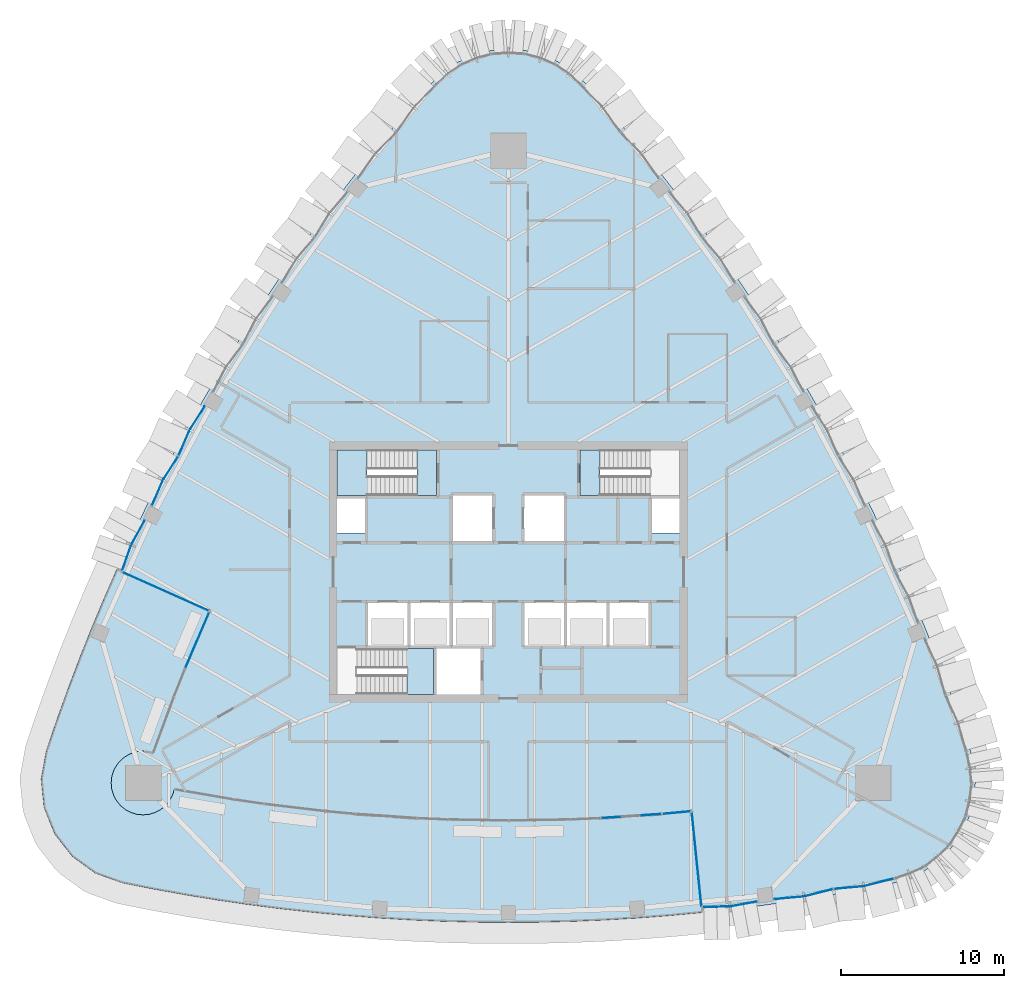
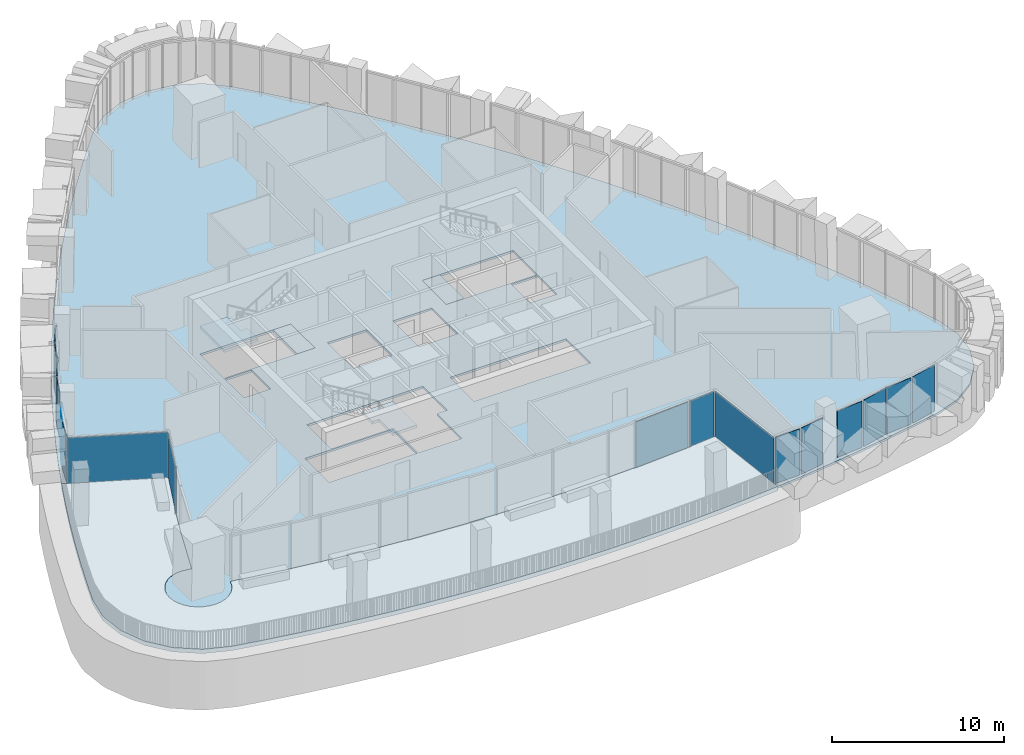
# One storey, part 9 of 22: 17 plates, 6 slabs, 11 elements without a shape of their own.
"""IFC4 building model written with IfcOpenShell, lengths in metres."""

from ifc_helpers import new_model, si_unit, direction, frame, origin, origin_2d, place, context, subcontext, project, spatial, polyline, rectangle, outline, extrude, material, layer, layer_set, type_object, element, aggregate, save


model = new_model("IFC4")

# Units and contexts
model_context = context("Model", 3, precision=1e-05, world=origin(), true_north=direction((0.0, 1.0)))
body_context = subcontext(model_context, "Body", "Model", "MODEL_VIEW")
ifc_project = project(units=[si_unit("LENGTHUNIT", "METRE"), si_unit("AREAUNIT", "SQUARE_METRE"), si_unit("VOLUMEUNIT", "CUBIC_METRE"), si_unit("PLANEANGLEUNIT", "RADIAN"), si_unit("MASSUNIT", "GRAM", prefix="KILO")], contexts=[model_context])

# Site, building, storey
site_placement = place(None, origin())
site = spatial("IfcSite", under=ifc_project, at=site_placement, CompositionType="ELEMENT")
building_placement = place(site_placement, origin())
building = spatial("IfcBuilding", under=site, at=building_placement, Name="Sierra Prisma Convention Tower", CompositionType="ELEMENT")
storey_placement = place(building_placement, frame((0.0, 0.0, 227.0)))
storey = spatial("IfcBuildingStorey", under=building, at=storey_placement, Name="L50", CompositionType="ELEMENT", Elevation=227.0)

# Curtain wall, plates
ifc_material_1 = material(Name="Aluminium and glass curtain wall", Category="aluminium")
ifc_layer_1 = layer(ifc_material_1, 0.179931640625)
ifc_layer_set_1 = layer_set([ifc_layer_1], Name="CW-2 Faceted crystal curtain wall")
curtain_wall_type_1 = type_object("IfcCurtainWallType", Name="CW-2 Faceted crystal curtain wall", PredefinedType="NOTDEFINED", material=ifc_layer_set_1)
curtain_wall_1_placement = place(storey_placement, origin())
curtain_wall_1 = element("IfcCurtainWall", 1, at=curtain_wall_1_placement, inside=storey, type_object=curtain_wall_type_1, Name="CW-2 S5b L50", PredefinedType="NOTDEFINED")
ifc_material_2 = material(Name="Tinted glass bronze-grey IGU", Category="glass")
ifc_layer_2 = layer(ifc_material_2, 0.028076171875)
ifc_layer_set_2 = layer_set([ifc_layer_2], Name="CW-2 crystal pane")
plate_type_1 = type_object("IfcPlateType", Name="CW-2 crystal pane", PredefinedType="CURTAIN_PANEL", material=ifc_layer_set_2)
plate_1_placement = place(storey_placement, frame((11.9140625, -20.5595703125, 0.0), z_axis=(0.02356908944, -0.999722210428, 0.0), x_axis=(0.999722210428, 0.02356908944, 0.0)))
plate_1 = element("IfcPlate", 2, at=plate_1_placement, type_object=plate_type_1, Name="CW-2 pane S5b.1.1", PredefinedType="CURTAIN_PANEL", context=body_context, shape_type="SweptSolid", body=[
    extrude(outline(polyline([(0.0, 0.0), (1.615927403406851, 0.0), (1.615927403406851, 3.280029296875), (0.0, 3.280029296875), (0.0, 0.0)])), origin(), (0.0, 0.0, -1.0), 0.028076171875),
])
plate_2_placement = place(storey_placement, frame((15.248291015625, -20.2177734375, 0.0), z_axis=(0.179762730046, -0.983709998367, 0.0), x_axis=(-0.983709998367, -0.179762730046, 0.0)))
plate_2 = element("IfcPlate", 3, at=plate_2_placement, type_object=plate_type_1, Name="CW-2 pane S5b.1.2", PredefinedType="CURTAIN_PANEL", context=body_context, shape_type="SweptSolid", body=[
    extrude(outline(polyline([(0.0, 0.0), (1.616171181181156, 0.0), (1.616171181181156, -3.280029296875), (0.0, -3.280029296875), (0.0, 0.0)])), origin(), (0.0, 0.0, -1.0), 0.028076171875),
])
aggregate(curtain_wall_1, [plate_1, plate_2])

curtain_wall_2_placement = place(storey_placement, origin())
curtain_wall_2 = element("IfcCurtainWall", 4, at=curtain_wall_2_placement, inside=storey, type_object=curtain_wall_type_1, Name="CW-2 S6 L50", PredefinedType="NOTDEFINED")
plate_3_placement = place(storey_placement, frame((16.322021484375, -20.072265625, 0.0), z_axis=(0.091537629551, -0.995801617982, 0.0), x_axis=(0.995801617982, 0.091537629551, 0.0)))
plate_3 = element("IfcPlate", 5, at=plate_3_placement, type_object=plate_type_1, Name="CW-2 pane S6.1.1", PredefinedType="CURTAIN_PANEL", context=body_context, shape_type="SweptSolid", body=[
    extrude(outline(polyline([(0.0, 0.0), (1.7576233147434766, 0.0), (1.7576233147434766, 3.280029296875001), (0.0, 3.280029296875001), (0.0, 0.0)])), origin(), (0.0, 0.0, -1.0), 0.028076171875),
])
plate_4_placement = place(storey_placement, frame((19.9033203125, -19.45654296875, 0.0), z_axis=(0.246292625045, -0.969195513221, 0.0), x_axis=(-0.969195513221, -0.246292625045, 0.0)))
plate_4 = element("IfcPlate", 6, at=plate_4_placement, type_object=plate_type_1, Name="CW-2 pane S6.1.2", PredefinedType="CURTAIN_PANEL", context=body_context, shape_type="SweptSolid", body=[
    extrude(outline(polyline([(0.0, 0.0), (1.7575082812378695, 0.0), (1.7575082812378695, -3.280029296875001), (0.0, -3.280029296875001), (0.0, 0.0)])), origin(), (0.0, 0.0, -1.0), 0.028076171875),
])
plate_5_placement = place(storey_placement, frame((19.972412109375, -19.44482421875, 0.0), z_axis=(0.091675366867, -0.995788947072, 0.0), x_axis=(0.995788947072, 0.091675366867, 0.0)))
plate_5 = element("IfcPlate", 7, at=plate_5_placement, type_object=plate_type_1, Name="CW-2 pane S6.2.1", PredefinedType="CURTAIN_PANEL", context=body_context, shape_type="SweptSolid", body=[
    extrude(outline(polyline([(0.0, 0.0), (1.7576456796113105, 0.0), (1.7576456796113105, 3.280029296875), (0.0, 3.280029296875), (0.0, 0.0)])), origin(), (0.0, 0.0, -1.0), 0.028076171875),
])
plate_6_placement = place(storey_placement, frame((23.5537109375, -18.8291015625, 0.0), z_axis=(0.246292625045, -0.969195513221, 0.0), x_axis=(-0.969195513221, -0.246292625045, 0.0)))
plate_6 = element("IfcPlate", 8, at=plate_6_placement, type_object=plate_type_1, Name="CW-2 pane S6.2.2", PredefinedType="CURTAIN_PANEL", context=body_context, shape_type="SweptSolid", body=[
    extrude(outline(polyline([(0.0, 0.0), (1.7575082812378695, 0.0), (1.7575082812378695, -3.280029296875001), (0.0, -3.280029296875001), (0.0, 0.0)])), origin(), (0.0, 0.0, -1.0), 0.028076171875),
])
aggregate(curtain_wall_2, [plate_3, plate_4, plate_5, plate_6])

curtain_wall_3_placement = place(storey_placement, origin())
curtain_wall_3 = element("IfcCurtainWall", 9, at=curtain_wall_3_placement, inside=storey, type_object=curtain_wall_type_1, Name="CW-2 NW4 L50", PredefinedType="NOTDEFINED")
plate_7_placement = place(storey_placement, frame((-18.6376953125, 10.160400390625, 0.0), z_axis=(-0.842913599433, 0.53804894191, 0.0), x_axis=(-0.53804894191, -0.842913599433, 0.0)))
plate_7 = element("IfcPlate", 10, at=plate_7_placement, type_object=plate_type_1, Name="CW-2 pane NW4.1.1", PredefinedType="CURTAIN_PANEL", context=body_context, shape_type="SweptSolid", body=[
    extrude(outline(polyline([(0.0, 0.0), (1.6416736702680863, 0.0), (1.6416736702680863, 3.280029296875), (0.0, 3.280029296875), (0.0, 0.0)])), origin(), (0.0, 0.0, -1.0), 0.028076171875),
])
plate_8_placement = place(storey_placement, frame((-20.23779296875, 7.1572265625, 0.0), z_axis=(-0.916688980641, 0.399601442405, 0.0), x_axis=(0.399601442405, 0.916688980641, 0.0)))
plate_8 = element("IfcPlate", 11, at=plate_8_placement, type_object=plate_type_1, Name="CW-2 pane NW4.1.2", PredefinedType="CURTAIN_PANEL", context=body_context, shape_type="SweptSolid", body=[
    extrude(outline(polyline([(0.0, 0.0), (1.6416503790065173, 0.0), (1.6416503790065173, -3.280029296875), (0.0, -3.280029296875), (0.0, 0.0)])), origin(), (0.0, 0.0, -1.0), 0.028076171875),
])
plate_9_placement = place(storey_placement, frame((-20.270751953125, 7.095458984375, 0.0), z_axis=(-0.842981044495, 0.537943267103, 0.0), x_axis=(-0.537943267103, -0.842981044495, 0.0)))
plate_9 = element("IfcPlate", 12, at=plate_9_placement, type_object=plate_type_1, Name="CW-2 pane NW4.2.1", PredefinedType="CURTAIN_PANEL", context=body_context, shape_type="SweptSolid", body=[
    extrude(outline(polyline([(0.0, 0.0), (1.6415423235623683, 0.0), (1.6415423235623683, 3.280029296875), (0.0, 3.280029296875), (0.0, 0.0)])), origin(), (0.0, 0.0, -1.0), 0.028076171875),
])
plate_10_placement = place(storey_placement, frame((-21.87060546875, 4.092529296875, 0.0), z_axis=(-0.916743451763, 0.399476461946, 0.0), x_axis=(0.399476461946, 0.916743451763, 0.0)))
plate_10 = element("IfcPlate", 13, at=plate_10_placement, type_object=plate_type_1, Name="CW-2 pane NW4.2.2", PredefinedType="CURTAIN_PANEL", context=body_context, shape_type="SweptSolid", body=[
    extrude(outline(polyline([(0.0, 0.0), (1.6415528353165683, 0.0), (1.6415528353165683, -3.280029296875), (0.0, -3.280029296875), (0.0, 0.0)])), origin(), (0.0, 0.0, -1.0), 0.028076171875),
])
aggregate(curtain_wall_3, [plate_7, plate_8, plate_9, plate_10])

curtain_wall_4_placement = place(storey_placement, origin())
curtain_wall_4 = element("IfcCurtainWall", 14, at=curtain_wall_4_placement, inside=storey, type_object=curtain_wall_type_1, Name="CW-2 NW5 L50", PredefinedType="NOTDEFINED")
plate_11_placement = place(storey_placement, frame((-22.333740234375, 3.148193359375, 0.0), z_axis=(-0.877612509171, 0.479370716405, 0.0), x_axis=(-0.479370716405, -0.877612509171, 0.0)))
plate_11 = element("IfcPlate", 15, at=plate_11_placement, type_object=plate_type_1, Name="CW-2 pane NW5.1.1", PredefinedType="CURTAIN_PANEL", context=body_context, shape_type="SweptSolid", body=[
    extrude(outline(polyline([(0.0, 0.0), (1.615989831281055, 0.0), (1.615989831281055, 3.2800292968749996), (0.0, 3.2800292968749996), (0.0, 0.0)])), origin(), (0.0, 0.0, -1.0), 0.028076171875),
])
plate_12_placement = place(storey_placement, frame((-23.704833984375, 0.089599609375, 0.0), z_axis=(-0.941810252503, 0.336144981043, 0.0), x_axis=(0.336144981043, 0.941810252503, 0.0)))
plate_12 = element("IfcPlate", 16, at=plate_12_placement, type_object=plate_type_1, Name="CW-2 pane NW5.1.2", PredefinedType="CURTAIN_PANEL", context=body_context, shape_type="SweptSolid", body=[
    extrude(outline(polyline([(0.0, 0.0), (1.616007738506796, 0.0), (1.616007738506796, -3.280029296875), (0.0, -3.280029296875), (0.0, 0.0)])), origin(), (0.0, 0.0, -1.0), 0.028076171875),
])
aggregate(curtain_wall_4, [plate_11, plate_12])

# Curtain wall, plate
ifc_material_3 = material(Name="Aluminium and glass curtain wall", Category="aluminium")
ifc_layer_3 = layer(ifc_material_3, 0.179931640625)
ifc_layer_set_3 = layer_set([ifc_layer_3], Name="CW-6 Terrace recess curtain wall")
curtain_wall_type_2 = type_object("IfcCurtainWallType", Name="CW-6 Terrace recess curtain wall", PredefinedType="NOTDEFINED", material=ifc_layer_set_3)
curtain_wall_5_placement = place(storey_placement, origin())
curtain_wall_5 = element("IfcCurtainWall", 17, at=curtain_wall_5_placement, inside=storey, type_object=curtain_wall_type_2, Name="CW-6 R1 L50", PredefinedType="NOTDEFINED")
ifc_material_4 = material(Name="Tinted glass bronze-grey IGU", Category="glass")
ifc_layer_4 = layer(ifc_material_4, 0.028076171875)
ifc_layer_set_4 = layer_set([ifc_layer_4], Name="CW-6 glass panel")
plate_type_2 = type_object("IfcPlateType", Name="CW-6 glass panel", PredefinedType="CURTAIN_PANEL", material=ifc_layer_set_4)
plate_13_placement = place(storey_placement, frame((-19.064208984375, -4.1396484375, 0.0), z_axis=(0.0, 0.0, 1.0), x_axis=(-0.393633597179, -0.919267420924, 0.0)))
plate_13 = element("IfcPlate", 18, at=plate_13_placement, type_object=plate_type_2, Name="CW-6 panel R1.1", PredefinedType="CURTAIN_PANEL", context=body_context, shape_type="SweptSolid", body=[
    extrude(rectangle(XDim=3.642333984375, YDim=0.028076171875, at=origin_2d()), origin(), (0.0, 0.0, 1.0), 3.219970703125),
])
aggregate(curtain_wall_5, [plate_13])

curtain_wall_6_placement = place(storey_placement, origin())
curtain_wall_6 = element("IfcCurtainWall", 19, at=curtain_wall_6_placement, inside=storey, type_object=curtain_wall_type_2, Name="CW-6 R37 L50", PredefinedType="NOTDEFINED")
plate_14_placement = place(storey_placement, frame((7.513916015625, -14.96630859375, 0.0), z_axis=(0.0, 0.0, 1.0), x_axis=(0.997682402684, 0.068042805455, 0.0)))
plate_14 = element("IfcPlate", 20, at=plate_14_placement, type_object=plate_type_2, Name="CW-6 panel R37.1", PredefinedType="CURTAIN_PANEL", context=body_context, shape_type="SweptSolid", body=[
    extrude(rectangle(XDim=3.6201171875, YDim=0.028076171875, at=origin_2d()), origin(), (0.0, 0.0, 1.0), 3.219970703125),
])
aggregate(curtain_wall_6, [plate_14])

curtain_wall_7_placement = place(storey_placement, origin())
curtain_wall_7 = element("IfcCurtainWall", 21, at=curtain_wall_7_placement, inside=storey, type_object=curtain_wall_type_2, Name="CW-6 R38 L50", PredefinedType="NOTDEFINED")
plate_15_placement = place(storey_placement, frame((10.314453125, -14.751708984375, 0.0), z_axis=(0.0, 0.0, 1.0), x_axis=(0.995619800455, 0.093494454075, 0.0)))
plate_15 = element("IfcPlate", 22, at=plate_15_placement, type_object=plate_type_2, Name="CW-6 panel R38.1", PredefinedType="CURTAIN_PANEL", context=body_context, shape_type="SweptSolid", body=[
    extrude(rectangle(XDim=1.718017578125, YDim=0.028076171875, at=origin_2d()), origin(), (0.0, 0.0, 1.0), 3.219970703125),
])
aggregate(curtain_wall_7, [plate_15])

curtain_wall_8_placement = place(storey_placement, origin())
curtain_wall_8 = element("IfcCurtainWall", 23, at=curtain_wall_8_placement, inside=storey, type_object=curtain_wall_type_2, Name="CW-6 RT1 L50", PredefinedType="NOTDEFINED")
plate_16_placement = place(storey_placement, frame((-21.026611328125, -1.187744140625, 0.0), z_axis=(0.0, 0.0, 1.0), x_axis=(0.912494418138, -0.409089155157, 0.0)))
plate_16 = element("IfcPlate", 24, at=plate_16_placement, type_object=plate_type_2, Name="CW-6 panel RT1.1", PredefinedType="CURTAIN_PANEL", context=body_context, shape_type="SweptSolid", body=[
    extrude(rectangle(XDim=5.79296875, YDim=0.028076171875, at=origin_2d()), origin(), (0.0, 0.0, 1.0), 3.219970703125),
])
aggregate(curtain_wall_8, [plate_16])

curtain_wall_9_placement = place(storey_placement, origin())
curtain_wall_9 = element("IfcCurtainWall", 25, at=curtain_wall_9_placement, inside=storey, type_object=curtain_wall_type_2, Name="CW-6 RT2 L50", PredefinedType="NOTDEFINED")
plate_17_placement = place(storey_placement, frame((11.5419921875, -17.61572265625, 0.0), z_axis=(0.0, 0.0, 1.0), x_axis=(0.10196560829, -0.994787924498, 0.0)))
plate_17 = element("IfcPlate", 26, at=plate_17_placement, type_object=plate_type_2, Name="CW-6 panel RT2.1", PredefinedType="CURTAIN_PANEL", context=body_context, shape_type="SweptSolid", body=[
    extrude(rectangle(XDim=5.79296875, YDim=0.028076171875, at=origin_2d()), origin(), (0.0, 0.0, 1.0), 3.219970703125),
])
aggregate(curtain_wall_9, [plate_17])

# Slab
ifc_material_5 = material(Name="Concrete C35/45", Category="concrete")
ifc_layer_5 = layer(ifc_material_5, 0.14990234375)
ifc_layer_set_5 = layer_set([ifc_layer_5], Name="Composite floor slab 150")
slab_type_1 = type_object("IfcSlabType", Name="Composite floor slab 150", PredefinedType="FLOOR", material=ifc_layer_set_5)
slab_1_placement = place(storey_placement, frame((0.0, 0.0, -0.14990234375)))
element("IfcSlab", 27, at=slab_1_placement, inside=storey, type_object=slab_type_1, Name="Floor slab L50 floor", PredefinedType="FLOOR", context=body_context, shape_type="SweptSolid", body=[
    extrude(outline(polyline([(-22.345458984375, 3.732666015625), (-23.2041015625, 1.94140625), (-24.021728515625, 0.158203125), (-18.31982421875, -2.4013671875), (-19.80859375, -5.878173828125), (-20.504150390625, -7.625), (-21.780517578125, -11.08349609375), (-22.404052734375, -10.9794921875), (-22.78564453125, -11.016845703125), (-23.152587890625, -11.128173828125), (-23.490478515625, -11.30908203125), (-23.786865234375, -11.55224609375), (-24.030029296875, -11.8486328125), (-24.2109375, -12.1865234375), (-24.322265625, -12.553466796875), (-24.359619140625, -12.93505859375), (-24.322265625, -13.316650390625), (-24.2109375, -13.683349609375), (-24.030029296875, -14.021484375), (-23.786865234375, -14.31787109375), (-23.490478515625, -14.56103515625), (-23.152587890625, -14.74169921875), (-22.78564453125, -14.85302734375), (-22.404052734375, -14.890625), (-22.0224609375, -14.85302734375), (-21.65576171875, -14.74169921875), (-21.317626953125, -14.56103515625), (-21.021240234375, -14.31787109375), (-20.778076171875, -14.021484375), (-20.597412109375, -13.683349609375), (-20.487060546875, -13.32080078125), (-16.85546875, -13.944580078125), (-14.994873046875, -14.215576171875), (-11.261474609375, -14.66259765625), (-9.3896484375, -14.83837890625), (-5.63818359375, -15.09423828125), (-3.759521484375, -15.17431640625), (0.0, -15.23828125), (3.759521484375, -15.17431640625), (5.63818359375, -15.09423828125), (9.3896484375, -14.83837890625), (11.239501953125, -14.664794921875), (11.8740234375, -20.882568359375), (11.898681640625, -20.88037109375), (13.873046875, -20.660888671875), (15.843505859375, -20.407958984375), (17.809326171875, -20.12158203125), (19.77001953125, -19.8017578125), (21.724853515625, -19.448486328125), (23.673583984375, -19.06201171875), (25.32275390625, -18.4697265625), (26.742919921875, -17.443603515625), (27.822998046875, -16.0634765625), (28.47802734375, -14.438232421875), (28.65673828125, -12.695068359375), (28.344970703125, -10.970703125), (27.705322265625, -9.090087890625), (27.03369140625, -7.220458984375), (26.33056640625, -5.362548828125), (25.595703125, -3.516845703125), (24.82958984375, -1.68408203125), (24.0322265625, 0.135498046875), (23.2041015625, 1.94140625), (22.345458984375, 3.732666015625), (21.45654296875, 5.50927734375), (20.537353515625, 7.270263671875), (19.588134765625, 9.015380859375), (18.609619140625, 10.744384765625), (17.601806640625, 12.4560546875), (16.56494140625, 14.150634765625), (15.499267578125, 15.8271484375), (14.4052734375, 17.4853515625), (13.283203125, 19.124755859375), (12.133544921875, 20.744873046875), (10.956298828125, 22.344970703125), (9.752197265625, 23.9248046875), (8.521240234375, 25.484130859375), (7.263671875, 27.022216796875), (5.98046875, 28.53857421875), (4.67138671875, 30.032958984375), (3.333984375, 31.1650390625), (1.735107421875, 31.8818359375), (0.0, 32.127197265625), (-1.735107421875, 31.8818359375), (-3.333984375, 31.1650390625), (-4.67138671875, 30.032958984375), (-5.98046875, 28.53857421875), (-7.263671875, 27.022216796875), (-8.521240234375, 25.484130859375), (-9.752197265625, 23.9248046875), (-10.956298828125, 22.344970703125), (-12.133544921875, 20.744873046875), (-13.283203125, 19.124755859375), (-14.4052734375, 17.4853515625), (-15.499267578125, 15.8271484375), (-16.56494140625, 14.150634765625), (-17.601806640625, 12.4560546875), (-18.609619140625, 10.744384765625), (-19.588134765625, 9.015380859375), (-20.537353515625, 7.270263671875), (-21.45654296875, 5.50927734375), (-22.345458984375, 3.732666015625)]), holes=[polyline([(-10.5, -4.699951171875), (-4.60009765625, -4.699951171875), (-4.60009765625, -7.5), (-10.5, -7.5), (-10.5, -4.699951171875)]), polyline([(-1.60009765625, -7.5), (-4.5, -7.5), (-4.5, -4.60009765625), (-6.10009765625, -4.60009765625), (-8.699951171875, -4.60009765625), (-8.699951171875, -1.800048828125), (-6.10009765625, -1.800048828125), (-3.5, -1.800048828125), (-0.89990234375, -1.800048828125), (-0.89990234375, -4.60009765625), (-1.60009765625, -4.60009765625), (-1.60009765625, -7.5)]), polyline([(-8.699951171875, 4.60009765625), (-8.699951171875, 2.39990234375), (-10.5, 2.39990234375), (-10.5, 4.60009765625), (-8.699951171875, 4.60009765625)]), polyline([(-4.39990234375, 7.5), (-4.39990234375, 4.699951171875), (-10.5, 4.699951171875), (-10.5, 7.5), (-4.39990234375, 7.5)]), polyline([(0.89990234375, -1.800048828125), (3.5, -1.800048828125), (6.10009765625, -1.800048828125), (8.699951171875, -1.800048828125), (8.699951171875, -4.60009765625), (6.10009765625, -4.60009765625), (3.5, -4.60009765625), (0.89990234375, -4.60009765625), (0.89990234375, -1.800048828125)]), polyline([(-0.89990234375, 4.800048828125), (-0.89990234375, 1.800048828125), (-3.5, 1.800048828125), (-3.5, 4.800048828125), (-0.89990234375, 4.800048828125)]), polyline([(3.5, 4.800048828125), (3.5, 1.800048828125), (0.89990234375, 1.800048828125), (0.89990234375, 4.800048828125), (3.5, 4.800048828125)]), polyline([(10.5, 4.60009765625), (10.5, 2.39990234375), (8.699951171875, 2.39990234375), (8.699951171875, 4.60009765625), (10.5, 4.60009765625)]), polyline([(10.5, 7.5), (10.5, 4.699951171875), (4.39990234375, 4.699951171875), (4.39990234375, 7.5), (10.5, 7.5)])]), origin(), (0.0, 0.0, 1.0), 0.14990234375),
])

# Stair, slab
ifc_material_6 = material(Name="Concrete C30/37", Category="concrete")
stair_type = type_object("IfcStairType", Name="Stair dog-leg 1200 RC", PredefinedType="HALF_TURN_STAIR", material=ifc_material_6)
stair_1_placement = place(storey_placement, origin())
stair_1 = element("IfcStair", 28, at=stair_1_placement, inside=storey, type_object=stair_type, Name="L50 S1", PredefinedType="HALF_TURN_STAIR")
ifc_material_7 = material(Name="Concrete C35/45", Category="concrete")
ifc_layer_6 = layer(ifc_material_7, 0.199951171875)
ifc_layer_set_6 = layer_set([ifc_layer_6], Name="Stair landing slab")
slab_type_2 = type_object("IfcSlabType", Name="Stair landing slab", PredefinedType="LANDING", material=ifc_layer_set_6)
slab_2_placement = place(storey_placement, frame((0.0, 0.0, 1.800048828125)))
slab_2 = element("IfcSlab", 29, at=slab_2_placement, type_object=slab_type_2, Name="S1 landing 1", PredefinedType="LANDING", context=body_context, shape_type="SweptSolid", body=[
    extrude(outline(polyline([(-4.60009765625, -4.699951171875), (-4.60009765625, -7.5), (-6.221923828125, -7.5), (-6.221923828125, -5.89990234375), (-6.669921875, -5.89990234375), (-6.669921875, -4.699951171875), (-4.60009765625, -4.699951171875)])), origin(), (0.0, 0.0, 1.0), 0.199951171875),
])
aggregate(stair_1, [slab_2])

stair_2_placement = place(storey_placement, origin())
stair_2 = element("IfcStair", 30, at=stair_2_placement, inside=storey, type_object=stair_type, Name="L50 S3", PredefinedType="HALF_TURN_STAIR")
slab_3_placement = place(storey_placement, frame((0.0, 0.0, 1.800048828125)))
slab_3 = element("IfcSlab", 31, at=slab_3_placement, type_object=slab_type_2, Name="S3 landing 1", PredefinedType="LANDING", context=body_context, shape_type="SweptSolid", body=[
    extrude(outline(polyline([(-8.22998046875, 5.89990234375), (-8.22998046875, 4.699951171875), (-10.5, 4.699951171875), (-10.5, 7.5), (-8.677978515625, 7.5), (-8.677978515625, 5.89990234375), (-8.22998046875, 5.89990234375)])), origin(), (0.0, 0.0, 1.0), 0.199951171875),
])
aggregate(stair_2, [slab_3])

# Slabs
slab_4_placement = place(storey_placement, frame((0.0, 0.0, -0.199951171875)))
element("IfcSlab", 32, at=slab_4_placement, inside=storey, type_object=slab_type_2, Name="S3 floor landing L50", PredefinedType="LANDING", context=body_context, shape_type="SweptSolid", body=[
    extrude(outline(polyline([(-4.39990234375, 7.5), (-5.60205078125, 7.5), (-5.60205078125, 4.699951171875), (-4.39990234375, 4.699951171875), (-4.39990234375, 7.5)])), origin(), (0.0, 0.0, 1.0), 0.199951171875),
])
slab_5_placement = place(storey_placement, frame((0.0, 0.0, -0.199951171875)))
element("IfcSlab", 33, at=slab_5_placement, inside=storey, type_object=slab_type_2, Name="S4 floor landing L50", PredefinedType="LANDING", context=body_context, shape_type="SweptSolid", body=[
    extrude(outline(polyline([(4.39990234375, 4.699951171875), (5.60205078125, 4.699951171875), (5.60205078125, 7.5), (4.39990234375, 7.5), (4.39990234375, 4.699951171875)])), origin(), (0.0, 0.0, 1.0), 0.199951171875),
])
ifc_material_8 = material(Name="Concrete C50/60", Category="concrete")
ifc_layer_7 = layer(ifc_material_8, 0.300048828125)
ifc_layer_set_7 = layer_set([ifc_layer_7], Name="Terrace slab")
slab_type_3 = type_object("IfcSlabType", Name="Terrace slab", PredefinedType="FLOOR", material=ifc_layer_set_7)
slab_6_placement = place(storey_placement, frame((0.0, 0.0, -0.300048828125)))
element("IfcSlab", 34, at=slab_6_placement, inside=storey, type_object=slab_type_3, Name="Terrace slab L50", PredefinedType="FLOOR", context=body_context, shape_type="SweptSolid", body=[
    extrude(outline(polyline([(-24.02197265625, 0.158203125), (-24.0322265625, 0.135498046875), (-24.82958984375, -1.68408203125), (-25.595703125, -3.516845703125), (-26.33056640625, -5.362548828125), (-27.03369140625, -7.220458984375), (-27.705322265625, -9.090087890625), (-28.344970703125, -10.970703125), (-28.65673828125, -12.695068359375), (-28.47802734375, -14.438232421875), (-27.822998046875, -16.0634765625), (-26.742919921875, -17.443603515625), (-25.32275390625, -18.4697265625), (-23.673583984375, -19.06201171875), (-21.724853515625, -19.448486328125), (-19.77001953125, -19.8017578125), (-17.809326171875, -20.12158203125), (-15.843505859375, -20.407958984375), (-13.873046875, -20.660888671875), (-11.898681640625, -20.88037109375), (-9.9208984375, -21.066162109375), (-7.940185546875, -21.218017578125), (-5.95703125, -21.33642578125), (-3.972412109375, -21.4208984375), (-1.986572265625, -21.4716796875), (0.0, -21.488525390625), (1.986572265625, -21.4716796875), (3.972412109375, -21.4208984375), (5.95703125, -21.33642578125), (7.940185546875, -21.218017578125), (9.9208984375, -21.066162109375), (11.8740234375, -20.882568359375), (11.239501953125, -14.664794921875), (9.3896484375, -14.83837890625), (5.63818359375, -15.09423828125), (3.759521484375, -15.17431640625), (0.0, -15.23828125), (-3.759521484375, -15.17431640625), (-5.63818359375, -15.09423828125), (-9.3896484375, -14.83837890625), (-11.261474609375, -14.66259765625), (-14.994873046875, -14.215576171875), (-16.85546875, -13.944580078125), (-20.487060546875, -13.32080078125), (-20.597412109375, -13.683349609375), (-20.778076171875, -14.021484375), (-21.021240234375, -14.31787109375), (-21.317626953125, -14.56103515625), (-21.65576171875, -14.74169921875), (-22.0224609375, -14.85302734375), (-22.404052734375, -14.890625), (-22.78564453125, -14.85302734375), (-23.152587890625, -14.74169921875), (-23.490478515625, -14.56103515625), (-23.786865234375, -14.31787109375), (-24.030029296875, -14.021484375), (-24.2109375, -13.683349609375), (-24.322265625, -13.316650390625), (-24.359619140625, -12.93505859375), (-24.322265625, -12.553466796875), (-24.2109375, -12.1865234375), (-24.030029296875, -11.8486328125), (-23.786865234375, -11.55224609375), (-23.490478515625, -11.30908203125), (-23.152587890625, -11.128173828125), (-22.78564453125, -11.016845703125), (-22.404052734375, -10.9794921875), (-21.780517578125, -11.08349609375), (-20.504150390625, -7.625), (-19.80859375, -5.878173828125), (-18.31982421875, -2.4013671875), (-24.02197265625, 0.158203125)])), origin(), (0.0, 0.0, 1.0), 0.300048828125),
])

save(model, "model.ifc")
